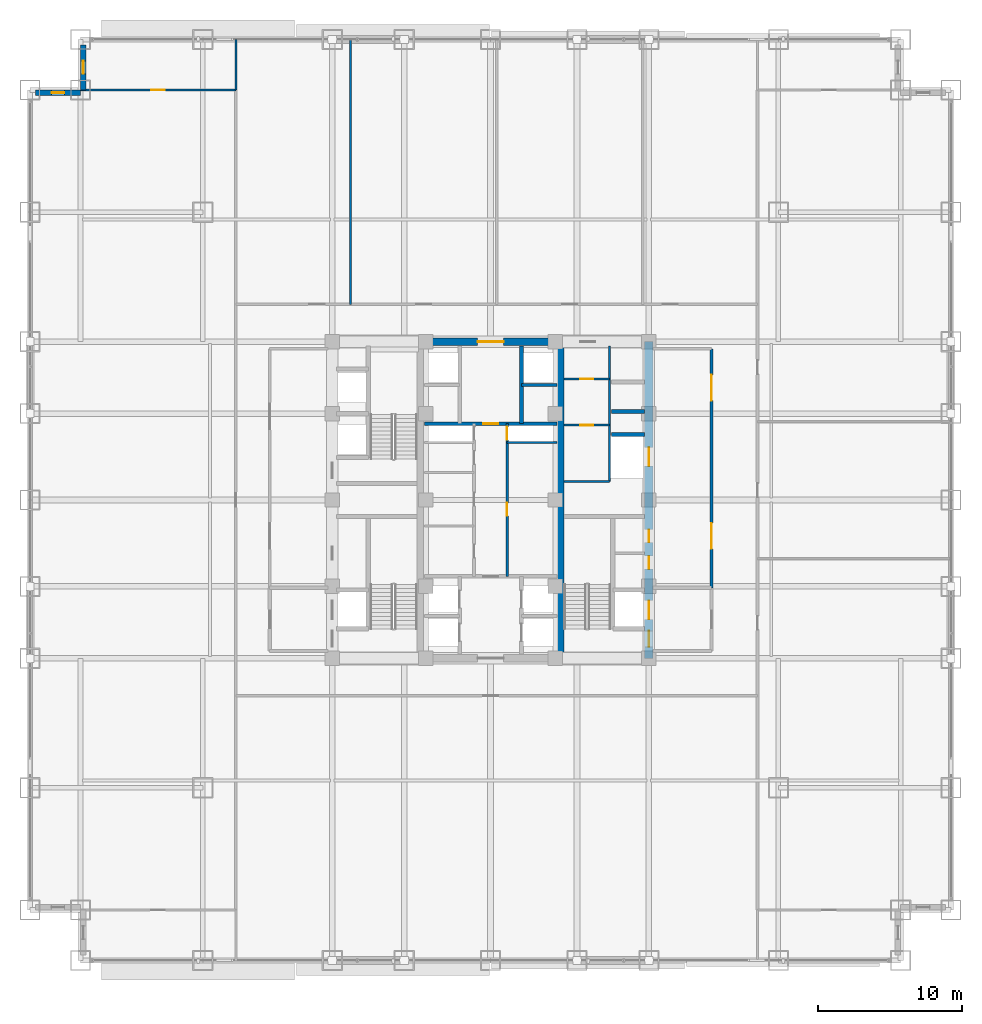
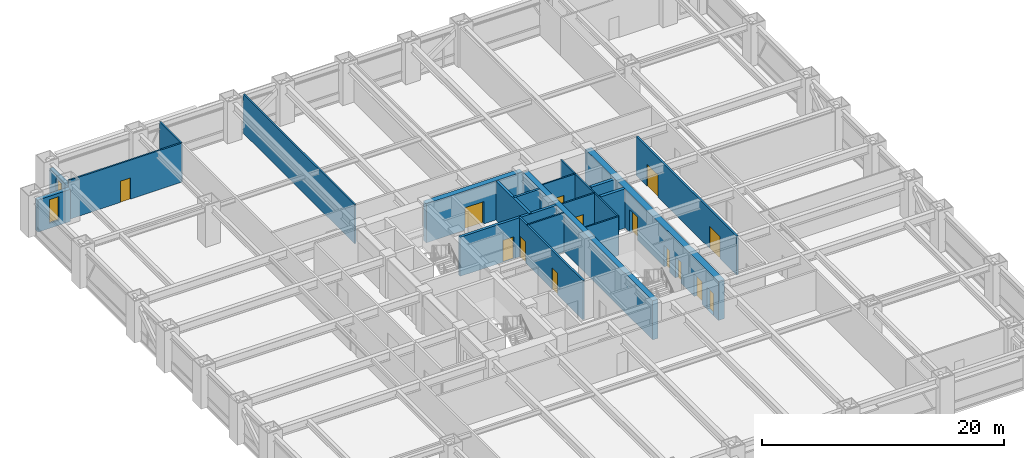
# One storey, part 25 of 31: 20 walls, 14 doors, 2 windows, 16 openings.
"""IFC4 building model written with IfcOpenShell, lengths in metres."""

import ifcopenshell
import ifcopenshell.guid

model = None  # the IFC model being written
_history = None  # IfcOwnerHistory: only IFC2X3 demands one
_inside = {}  # id of a spatial element -> (the spatial element, [elements in it])
_under = {}  # id of a project, library or spatial element -> (it, [spatial elements below it])
_declared = {}  # id of a project -> (the project, [libraries it declares])
_typed = {}  # id of a type object -> (the type object, [elements of that type])
_made_of = {}  # id of a material, layer set ... -> (it, [elements and type objects made of it])


def new_model(schema):
    """Start an empty IFC model of exactly this schema.

    Asked for "IFC4X3", IfcOpenShell would pick the latest addendum, in which some entities
    have other attributes; the version numbers below select the first issue.
    IFC2X3 requires an IfcOwnerHistory on every rooted entity: one is made here for all.
    """
    global model, _history
    if schema == "IFC4X3":
        model = ifcopenshell.file(schema_version=(4, 3, 0, 0))
    else:
        model = ifcopenshell.file(schema=schema)
    _inside.clear()
    _under.clear()
    _declared.clear()
    _typed.clear()
    _made_of.clear()
    _history = None
    if model.schema == "IFC2X3":
        org = make("IfcOrganization", Name="unknown")
        user = make(
            "IfcPersonAndOrganization",
            ThePerson=make("IfcPerson", FamilyName="unknown"),
            TheOrganization=org,
        )
        app = make(
            "IfcApplication",
            ApplicationDeveloper=org,
            Version="unknown",
            ApplicationFullName="unknown",
            ApplicationIdentifier="unknown",
        )
        _history = make(
            "IfcOwnerHistory",
            OwningUser=user,
            OwningApplication=app,
            ChangeAction="ADDED",
            CreationDate=0,
        )
    return model


def make(cls, **values):
    """One entity of the class cls with the attributes given. An attribute that is None is left unset."""
    return model.create_entity(
        cls, **{name: value for name, value in values.items() if value is not None}
    )


def rooted(cls, **values):
    """An entity with a GlobalId (a new one), such as an element, a storey or a relation."""
    return make(cls, GlobalId=ifcopenshell.guid.new(), OwnerHistory=_history, **values)


def si_unit(unit_type, name, prefix=None):
    """IfcSIUnit, for example si_unit("LENGTHUNIT", "METRE", prefix="MILLI")."""
    return make("IfcSIUnit", UnitType=unit_type, Prefix=prefix, Name=name)


def assignment(units):
    """IfcUnitAssignment: the units of a project."""
    return None if units is None else make("IfcUnitAssignment", Units=units)


def point(xyz):
    """IfcCartesianPoint."""
    return None if xyz is None else make("IfcCartesianPoint", Coordinates=xyz)


def direction(xyz):
    """IfcDirection."""
    return None if xyz is None else make("IfcDirection", DirectionRatios=xyz)


def frame(location, z_axis=None, x_axis=None):
    """IfcAxis2Placement3D, a coordinate frame: its origin and axes. An axis left out is left unset."""
    return make(
        "IfcAxis2Placement3D",
        Location=point(location),
        Axis=direction(z_axis),
        RefDirection=direction(x_axis),
    )


def frame_2d(location, x_axis=None):
    """IfcAxis2Placement2D, a coordinate frame in the plane: its origin and x axis."""
    return make(
        "IfcAxis2Placement2D", Location=point(location), RefDirection=direction(x_axis)
    )


def origin():
    """The frame at (0, 0, 0) with its axes left unset."""
    return frame((0.0, 0.0, 0.0))


def place(relative_to, where):
    """IfcLocalPlacement: puts the frame where relative to a parent placement (None: the world)."""
    return make(
        "IfcLocalPlacement", PlacementRelTo=relative_to, RelativePlacement=where
    )


def context(
    kind, dimensions, precision=None, world=None, true_north=None, identifier=None
):
    """IfcGeometricRepresentationContext, for example the 3D "Model" context."""
    return make(
        "IfcGeometricRepresentationContext",
        ContextIdentifier=identifier,
        ContextType=kind,
        CoordinateSpaceDimension=dimensions,
        Precision=precision,
        WorldCoordinateSystem=world,
        TrueNorth=true_north,
    )


def subcontext(parent, identifier, kind, view, scale=None):
    """IfcGeometricRepresentationSubContext, for example "Body" below "Model"."""
    return make(
        "IfcGeometricRepresentationSubContext",
        ContextIdentifier=identifier,
        ContextType=kind,
        ParentContext=parent,
        TargetScale=scale,
        TargetView=view,
    )


def project(units=None, contexts=None):
    """IfcProject with its units and contexts."""
    return rooted(
        "IfcProject",
        Name="project",
        RepresentationContexts=contexts,
        UnitsInContext=assignment(units),
    )


def spatial(cls, under=None, at=None, **own):
    """A site, building, storey or space (cls), placed at a placement, below another one or the project."""
    s = rooted(cls, ObjectPlacement=at, **own)
    if under is not None:
        _under.setdefault(under.id(), (under, []))[1].append(s)
    return s


def profile(cls, at=None, kind="AREA", **sizes):
    """A parametric profile (cls). Its sizes go by their IFC names, for example OverallWidth=200.0."""
    return make(cls, ProfileType=kind, Position=at, **sizes)


def rectangle(**sizes):
    """IfcRectangleProfileDef."""
    return profile("IfcRectangleProfileDef", **sizes)


def extrude(swept, where, along, depth):
    """IfcExtrudedAreaSolid: the profile swept, set in the frame where, extruded along a direction by depth."""
    return make(
        "IfcExtrudedAreaSolid",
        SweptArea=swept,
        Position=where,
        ExtrudedDirection=direction(along),
        Depth=depth,
    )


def shape(context_of_items, identifier, shape_type, items):
    """IfcShapeRepresentation: the items that make up one representation, for example the "Body"."""
    return make(
        "IfcShapeRepresentation",
        ContextOfItems=context_of_items,
        RepresentationIdentifier=identifier,
        RepresentationType=shape_type,
        Items=items,
    )


def source(mapping_origin, context_of_items, identifier, shape_type, items):
    """IfcRepresentationMap: a shape defined once, which mapped items show again and again."""
    return make(
        "IfcRepresentationMap",
        MappingOrigin=mapping_origin,
        MappedRepresentation=shape(context_of_items, identifier, shape_type, items),
    )


def transform(
    local_origin,
    x_axis=None,
    y_axis=None,
    z_axis=None,
    scale=None,
    scale2=None,
    scale3=None,
    uniform=True,
):
    """IfcCartesianTransformationOperator3D, or its non-uniform kind. x_axis, y_axis, z_axis: its Axis1, 2, 3."""
    if uniform:
        return make(
            "IfcCartesianTransformationOperator3D",
            Axis1=direction(x_axis),
            Axis2=direction(y_axis),
            LocalOrigin=point(local_origin),
            Scale=scale,
            Axis3=direction(z_axis),
        )
    return make(
        "IfcCartesianTransformationOperator3DnonUniform",
        Axis1=direction(x_axis),
        Axis2=direction(y_axis),
        LocalOrigin=point(local_origin),
        Scale=scale,
        Axis3=direction(z_axis),
        Scale2=scale2,
        Scale3=scale3,
    )


def mapped(mapping_source, mapping_target):
    """IfcMappedItem: shows the shape of a source again, moved by a transform."""
    return make(
        "IfcMappedItem", MappingSource=mapping_source, MappingTarget=mapping_target
    )


def material(Name=None, Category=None):
    """IfcMaterial."""
    return make("IfcMaterial", Name=Name, Category=Category)


def layer(
    of_material, thickness, ventilated=None, Name=None, Category=None, Priority=None
):
    """IfcMaterialLayer: one layer of a wall or slab, of a material (None: an air gap)."""
    return make(
        "IfcMaterialLayer",
        Material=of_material,
        LayerThickness=thickness,
        IsVentilated=ventilated,
        Name=Name,
        Category=Category,
        Priority=Priority,
    )


def layer_set(layers, Name=None):
    """IfcMaterialLayerSet."""
    return make("IfcMaterialLayerSet", MaterialLayers=layers, LayerSetName=Name)


def made_of(thing, what):
    """Note that an element or type object is made of a material, layer set ...; save() writes the relation."""
    if what is not None:
        _made_of.setdefault(what.id(), (what, []))[1].append(thing)
    return thing


def type_object(cls, material=None, **own):
    """A type object (cls), such as IfcWallType, which elements share."""
    return made_of(rooted(cls, **own), material)


def element(
    cls,
    number,
    at=None,
    inside=None,
    cuts=None,
    type_object=None,
    material=None,
    context=None,
    identifier="Body",
    shape_type=None,
    held_by="IfcProductDefinitionShape",
    body=None,
    shapes=None,
    **own,
):
    """One element of the class cls, such as IfcWall. Its Tag is "e" and its number.

    at: its placement. inside: the storey or other place that contains it. cuts: it is an
    opening in that element (IfcRelVoidsElement). A single representation is given by context,
    identifier, shape_type and body (its items); several are given by shapes. held_by: the class
    of the entity that holds the representations. save() writes the other relations.
    """
    e = rooted(cls, Tag="e%d" % number, ObjectPlacement=at, **own)
    if body is not None:
        shapes = [shape(context, identifier, shape_type, body)]
    if shapes is not None:
        e.Representation = make(held_by, Representations=shapes)
    if inside is not None:
        _inside.setdefault(inside.id(), (inside, []))[1].append(e)
    if cuts is not None:
        rooted(
            "IfcRelVoidsElement", RelatingBuildingElement=cuts, RelatedOpeningElement=e
        )
    if type_object is not None:
        _typed.setdefault(type_object.id(), (type_object, []))[1].append(e)
    return made_of(e, material)


def fill(opening, filler):
    """IfcRelFillsElement: the door or window that sits in an opening."""
    return rooted(
        "IfcRelFillsElement",
        RelatingOpeningElement=opening,
        RelatedBuildingElement=filler,
    )


def aggregate(whole, parts):
    """IfcRelAggregates: a whole, such as a stair, and the parts it consists of."""
    return rooted("IfcRelAggregates", RelatingObject=whole, RelatedObjects=parts)


def save(model, path):
    """Write the relations noted so far, then the file.

    IfcRelAggregates (storeys below a building ...), IfcRelContainedInSpatialStructure (elements
    in a storey), IfcRelDefinesByType, IfcRelAssociatesMaterial and IfcRelDeclares: one each for
    every whole, place, type object, material and project.
    """
    for whole, parts in _under.values():
        aggregate(whole, parts)
    for where, things in _inside.values():
        rooted(
            "IfcRelContainedInSpatialStructure",
            RelatedElements=things,
            RelatingStructure=where,
        )
    for kind, things in _typed.values():
        rooted("IfcRelDefinesByType", RelatedObjects=things, RelatingType=kind)
    for what, things in _made_of.values():
        rooted("IfcRelAssociatesMaterial", RelatedObjects=things, RelatingMaterial=what)
    for by, libraries in _declared.values():
        rooted("IfcRelDeclares", RelatingContext=by, RelatedDefinitions=libraries)
    model.write(path)


model = new_model("IFC4")

# Units and contexts
model_context = context("Model", 3, precision=1e-05, world=origin(), true_north=direction((0.0, 1.0)))
body_context = subcontext(model_context, "Body", "Model", "MODEL_VIEW")
ifc_project = project(units=[si_unit("LENGTHUNIT", "METRE"), si_unit("AREAUNIT", "SQUARE_METRE"), si_unit("VOLUMEUNIT", "CUBIC_METRE"), si_unit("PLANEANGLEUNIT", "RADIAN"), si_unit("MASSUNIT", "GRAM", prefix="KILO")], contexts=[model_context])

# Site, building, storey
site_placement = place(None, origin())
site = spatial("IfcSite", under=ifc_project, at=site_placement, CompositionType="ELEMENT")
building_placement = place(site_placement, origin())
building = spatial("IfcBuilding", under=site, at=building_placement, Name="Khorayat Bourse Tower", CompositionType="ELEMENT")
storey_placement = place(building_placement, frame((0.0, 0.0, 32.60009765625)))
storey = spatial("IfcBuildingStorey", under=building, at=storey_placement, Name="L06", CompositionType="ELEMENT", Elevation=32.60009765625)

# Wall, openings, doors
ifc_material_1 = material(Name="Concrete C60/75", Category="concrete")
ifc_layer_1 = layer(ifc_material_1, 0.60009765625)
ifc_layer_set_1 = layer_set([ifc_layer_1], Name="Concrete C60/75")
wall_type_1 = type_object("IfcWallType", Name="WAL-CORE-600", PredefinedType="SHEAR", material=ifc_layer_set_1)
shared_shape_1 = source(origin(), body_context, "Body", "SweptSolid", [
    extrude(rectangle(XDim=22.0, YDim=0.60009765625, at=frame_2d((11.0, 0.0))), origin(), (0.0, 0.0, 1.0), 3.93994140625),
])
wall_1_placement = place(storey_placement, frame((11.0, -11.0, 0.0), z_axis=(0.0, 0.0, 1.0), x_axis=(0.0, 1.0, 0.0)))
wall_1 = element("IfcWall", 1, at=wall_1_placement, inside=storey, type_object=wall_type_1, Name="L06 Core Shear Wall CORE-E", PredefinedType="SHEAR", context=body_context, shape_type="MappedRepresentation", body=[
    mapped(shared_shape_1, transform((0.0, 0.0, 0.0), scale=1.0)),
])
shared_shape_2 = source(origin(), body_context, "Body", "SweptSolid", [
    extrude(rectangle(XDim=1.10009765625, YDim=2.199951171875, at=frame_2d((0.550048828125, 1.10009765625))), frame((0.0, 0.31005859375, 0.0), z_axis=(0.0, -1.0, 0.0), x_axis=(1.0, 0.0, 0.0)), (0.0, 0.0, 1.0), 0.6201171875),
])
opening_1_placement = place(wall_1_placement, frame((0.800048828125, 0.0, 0.0)))
opening_1 = element("IfcOpeningElement", 2, at=opening_1_placement, cuts=wall_1, Name="Opening DI-01", PredefinedType="OPENING", context=body_context, shape_type="MappedRepresentation", body=[
    mapped(shared_shape_2, transform((0.0, 0.0, 0.0), scale=1.0)),
])
shared_shape_3 = source(origin(), body_context, "Body", "SweptSolid", [
    extrude(rectangle(XDim=0.89990234375, YDim=2.14990234375, at=frame_2d((0.449951171875, 1.074951171875))), frame((0.0, 0.31005859375, 0.0), z_axis=(0.0, -1.0, 0.0), x_axis=(1.0, 0.0, 0.0)), (0.0, 0.0, 1.0), 0.6201171875),
])
opening_2_placement = place(wall_1_placement, frame((6.199951171875, 0.0, 0.0)))
opening_2 = element("IfcOpeningElement", 3, at=opening_2_placement, cuts=wall_1, Name="Opening DI-06", PredefinedType="OPENING", context=body_context, shape_type="MappedRepresentation", body=[
    mapped(shared_shape_3, transform((0.0, 0.0, 0.0), scale=1.0)),
])
opening_3_placement = place(wall_1_placement, frame((8.050048828125, 0.0, 0.0)))
opening_3 = element("IfcOpeningElement", 4, at=opening_3_placement, cuts=wall_1, Name="Opening DI-06", PredefinedType="OPENING", context=body_context, shape_type="MappedRepresentation", body=[
    mapped(shared_shape_3, transform((0.0, 0.0, 0.0), scale=1.0)),
])
shared_shape_4 = source(origin(), body_context, "Body", "SweptSolid", [
    extrude(rectangle(XDim=1.300048828125, YDim=2.300048828125, at=frame_2d((0.64990234375, 1.14990234375))), frame((0.0, 0.31005859375, 0.0), z_axis=(0.0, -1.0, 0.0), x_axis=(1.0, 0.0, 0.0)), (0.0, 0.0, 1.0), 0.6201171875),
])
opening_4_placement = place(wall_1_placement, frame((2.699951171875, 0.0, 0.0)))
opening_4 = element("IfcOpeningElement", 5, at=opening_4_placement, cuts=wall_1, Name="Opening LD-02", PredefinedType="OPENING", context=body_context, shape_type="MappedRepresentation", body=[
    mapped(shared_shape_4, transform((0.0, 0.0, 0.0), scale=1.0)),
])
opening_5_placement = place(wall_1_placement, frame((13.35009765625, 0.0, 0.0)))
opening_5 = element("IfcOpeningElement", 6, at=opening_5_placement, cuts=wall_1, Name="Opening LD-02", PredefinedType="OPENING", context=body_context, shape_type="MappedRepresentation", body=[
    mapped(shared_shape_4, transform((0.0, 0.0, 0.0), scale=1.0)),
])
ifc_material_2 = material(Name="Fire-rated steel acoustic leaf", Category="steel")
door_type_1 = type_object("IfcDoorType", Name="DR-INT-STAIR-1100", OperationType="NOTDEFINED", PredefinedType="DOOR", material=ifc_material_2)
shared_shape_5 = source(origin(), body_context, "Body", "SweptSolid", [
    extrude(rectangle(XDim=1.10009765625, YDim=2.199951171875, at=frame_2d((0.550048828125, 1.10009765625))), frame((0.0, 0.02490234375, 0.0), z_axis=(0.0, -1.0, 0.0), x_axis=(1.0, 0.0, 0.0)), (0.0, 0.0, 1.0), 0.050048828125),
])
door_1_placement = place(opening_1_placement, origin())
door_1 = element("IfcDoor", 7, at=door_1_placement, inside=storey, type_object=door_type_1, Name="L06 Exit Stair 3 Door", OperationType="SINGLE_SWING_LEFT", OverallHeight=2.199951171875, OverallWidth=1.10009765625, PredefinedType="DOOR", context=body_context, shape_type="MappedRepresentation", body=[
    mapped(shared_shape_5, transform((0.0, 0.0, 0.0), scale=1.0)),
])
fill(opening_1, door_1)
ifc_material_3 = material(Name="Moisture-resistant laminate washroom door")
door_type_2 = type_object("IfcDoorType", Name="DR-INT-WC-900", OperationType="NOTDEFINED", PredefinedType="DOOR", material=ifc_material_3)
shared_shape_6 = source(origin(), body_context, "Body", "SweptSolid", [
    extrude(rectangle(XDim=0.89990234375, YDim=2.14990234375, at=frame_2d((0.449951171875, 1.074951171875))), frame((0.0, 0.02490234375, 0.0), z_axis=(0.0, -1.0, 0.0), x_axis=(1.0, 0.0, 0.0)), (0.0, 0.0, 1.0), 0.050048828125),
])
door_2_placement = place(opening_2_placement, origin())
door_2 = element("IfcDoor", 8, at=door_2_placement, inside=storey, type_object=door_type_2, Name="L06 Comms Closet Door", OperationType="SINGLE_SWING_LEFT", OverallHeight=2.14990234375, OverallWidth=0.89990234375, PredefinedType="DOOR", context=body_context, shape_type="MappedRepresentation", body=[
    mapped(shared_shape_6, transform((0.0, 0.0, 0.0), scale=1.0)),
])
fill(opening_2, door_2)
door_3_placement = place(opening_3_placement, origin())
door_3 = element("IfcDoor", 9, at=door_3_placement, inside=storey, type_object=door_type_2, Name="L06 Cleaner Store Door", OperationType="SINGLE_SWING_RIGHT", OverallHeight=2.14990234375, OverallWidth=0.89990234375, PredefinedType="DOOR", context=body_context, shape_type="MappedRepresentation", body=[
    mapped(shared_shape_6, transform((0.0, 0.0, 0.0), scale=1.0)),
])
fill(opening_3, door_3)
ifc_material_4 = material(Name="Fire-rated stainless-steel sliding landing door", Category="steel")
door_type_3 = type_object("IfcDoorType", Name="DR-LIFT-FF-1300", OperationType="NOTDEFINED", PredefinedType="DOOR", material=ifc_material_4)
shared_shape_7 = source(origin(), body_context, "Body", "SweptSolid", [
    extrude(rectangle(XDim=1.300048828125, YDim=2.300048828125, at=frame_2d((0.64990234375, 1.14990234375))), frame((0.0, 0.02490234375, 0.0), z_axis=(0.0, -1.0, 0.0), x_axis=(1.0, 0.0, 0.0)), (0.0, 0.0, 1.0), 0.050048828125),
])
door_4_placement = place(opening_4_placement, origin())
door_4 = element("IfcDoor", 10, at=door_4_placement, inside=storey, type_object=door_type_3, Name="L06 Lift FFL-02 Sliding Landing Door", OperationType="SLIDING_TO_LEFT", OverallHeight=2.300048828125, OverallWidth=1.300048828125, PredefinedType="DOOR", context=body_context, shape_type="MappedRepresentation", body=[
    mapped(shared_shape_7, transform((0.0, 0.0, 0.0), scale=1.0)),
])
fill(opening_4, door_4)
door_5_placement = place(opening_5_placement, origin())
door_5 = element("IfcDoor", 11, at=door_5_placement, inside=storey, type_object=door_type_3, Name="L06 Lift SVL-01 Sliding Landing Door", OperationType="SLIDING_TO_LEFT", OverallHeight=2.300048828125, OverallWidth=1.300048828125, PredefinedType="DOOR", context=body_context, shape_type="MappedRepresentation", body=[
    mapped(shared_shape_7, transform((0.0, 0.0, 0.0), scale=1.0)),
])
fill(opening_5, door_5)

# Wall
ifc_material_5 = material(Name="Concrete C52/65", Category="concrete")
ifc_layer_2 = layer(ifc_material_5, 0.5)
ifc_layer_set_2 = layer_set([ifc_layer_2], Name="Concrete C52/65")
wall_type_2 = type_object("IfcWallType", Name="WAL-CORE-500", PredefinedType="SHEAR", material=ifc_layer_set_2)
shared_shape_8 = source(origin(), body_context, "Body", "SweptSolid", [
    extrude(rectangle(XDim=21.39990234375, YDim=0.5, at=frame_2d((10.699951171875, 0.0))), origin(), (0.0, 0.0, 1.0), 3.93994140625),
])
wall_2_placement = place(storey_placement, frame((4.85009765625, -10.699951171875, 0.0), z_axis=(0.0, 0.0, 1.0), x_axis=(0.0, 1.0, 0.0)))
element("IfcWall", 12, at=wall_2_placement, inside=storey, type_object=wall_type_2, Name="L06 Core Shear Wall PIER-E", PredefinedType="SHEAR", context=body_context, shape_type="MappedRepresentation", body=[
    mapped(shared_shape_8, transform((0.0, 0.0, 0.0), scale=1.0)),
])

# Wall, opening, door
shared_shape_9 = source(origin(), body_context, "Body", "SweptSolid", [
    extrude(rectangle(XDim=9.2001953125, YDim=0.5, at=frame_2d((4.60009765625, 0.0))), origin(), (0.0, 0.0, 1.0), 3.93994140625),
])
wall_3_placement = place(storey_placement, frame((-4.60009765625, 11.0, 0.0), z_axis=(0.0, 0.0, 1.0), x_axis=(1.0, 0.0, 0.0)))
wall_3 = element("IfcWall", 13, at=wall_3_placement, inside=storey, type_object=wall_type_2, Name="L06 Core Shear Wall CORE-N", PredefinedType="SHEAR", context=body_context, shape_type="MappedRepresentation", body=[
    mapped(shared_shape_9, transform((0.0, 0.0, 0.0), scale=1.0)),
])
shared_shape_10 = source(origin(), body_context, "Body", "SweptSolid", [
    extrude(rectangle(XDim=1.800048828125, YDim=2.25, at=frame_2d((0.89990234375, 1.125))), frame((0.0, 0.260009765625, 0.0), z_axis=(0.0, -1.0, 0.0), x_axis=(1.0, 0.0, 0.0)), (0.0, 0.0, 1.0), 0.52001953125),
])
opening_6_placement = place(wall_3_placement, frame((3.699951171875, 0.0, 0.0)))
opening_6 = element("IfcOpeningElement", 14, at=opening_6_placement, cuts=wall_3, Name="Opening DI-03", PredefinedType="OPENING", context=body_context, shape_type="MappedRepresentation", body=[
    mapped(shared_shape_10, transform((0.0, 0.0, 0.0), scale=1.0)),
])
ifc_material_6 = material(Name="Fire-rated hardwood vision-panel double leaf", Category="wood")
door_type_4 = type_object("IfcDoorType", Name="DR-INT-CORR-1800", OperationType="NOTDEFINED", PredefinedType="DOOR", material=ifc_material_6)
shared_shape_11 = source(origin(), body_context, "Body", "SweptSolid", [
    extrude(rectangle(XDim=1.800048828125, YDim=2.25, at=frame_2d((0.89990234375, 1.125))), frame((0.0, 0.02490234375, 0.0), z_axis=(0.0, -1.0, 0.0), x_axis=(1.0, 0.0, 0.0)), (0.0, 0.0, 1.0), 0.050048828125),
])
door_6_placement = place(opening_6_placement, origin())
door_6 = element("IfcDoor", 15, at=door_6_placement, inside=storey, type_object=door_type_4, Name="L06 Mid-Rise Lift Lobby Door", OperationType="SINGLE_SWING_RIGHT", OverallHeight=2.25, OverallWidth=1.800048828125, PredefinedType="DOOR", context=body_context, shape_type="MappedRepresentation", body=[
    mapped(shared_shape_11, transform((0.0, 0.0, 0.0), scale=1.0)),
])
fill(opening_6, door_6)

# Wall, opening, window
ifc_material_7 = material(Name="Precast concrete C45/55", Category="concrete")
ifc_layer_3 = layer(ifc_material_7, 0.3798828125)
ifc_layer_set_3 = layer_set([ifc_layer_3], Name="Precast concrete C45/55")
wall_type_3 = type_object("IfcWallType", Name="WAL-EXT-STONE-380", PredefinedType="STANDARD", material=ifc_layer_set_3)
shared_shape_12 = source(origin(), body_context, "Body", "SweptSolid", [
    extrude(rectangle(XDim=3.1201171875, YDim=0.3798828125, at=frame_2d((1.56005859375, 0.0))), origin(), (0.0, 0.0, 1.0), 3.244873046875),
])
wall_4_placement = place(storey_placement, frame((-28.31005859375, 28.5, 0.0), z_axis=(0.0, 0.0, 1.0), x_axis=(0.0, 1.0, 0.0)))
wall_4 = element("IfcWall", 16, at=wall_4_placement, inside=storey, type_object=wall_type_3, Name="L06 Re-Entrant Notch Limestone Wall NW-V", PredefinedType="STANDARD", context=body_context, shape_type="MappedRepresentation", body=[
    mapped(shared_shape_12, transform((0.0, 0.0, 0.0), scale=1.0)),
])
shared_shape_13 = source(origin(), body_context, "Body", "SweptSolid", [
    extrude(rectangle(XDim=0.89990234375, YDim=2.39990234375, at=frame_2d((0.449951171875, 1.199951171875))), frame((0.0, 0.199951171875, 0.0), z_axis=(0.0, -1.0, 0.0), x_axis=(1.0, 0.0, 0.0)), (0.0, 0.0, 1.0), 0.39990234375),
])
opening_7_placement = place(wall_4_placement, frame((1.110107421875, 0.0, 0.5)))
opening_7 = element("IfcOpeningElement", 17, at=opening_7_placement, cuts=wall_4, Name="Opening WN-03", PredefinedType="OPENING", context=body_context, shape_type="MappedRepresentation", body=[
    mapped(shared_shape_13, transform((0.0, 0.0, 0.0), scale=1.0)),
])
ifc_material_8 = material(Name="Deep-reveal solar-control double glazing", Category="glass")
window_type = type_object("IfcWindowType", Name="WIN-SLOT-900x2400", PartitioningType="SINGLE_PANEL", PredefinedType="WINDOW", material=ifc_material_8)
shared_shape_14 = source(origin(), body_context, "Body", "SweptSolid", [
    extrude(rectangle(XDim=0.89990234375, YDim=2.39990234375, at=frame_2d((0.449951171875, 1.199951171875))), frame((0.0, 0.030029296875, 0.0), z_axis=(0.0, -1.0, 0.0), x_axis=(1.0, 0.0, 0.0)), (0.0, 0.0, 1.0), 0.06005859375),
])
window_1_placement = place(opening_7_placement, origin())
window_1 = element("IfcWindow", 18, at=window_1_placement, inside=storey, type_object=window_type, Name="L06 Facade Window 1", OverallHeight=2.39990234375, OverallWidth=0.89990234375, PartitioningType="SINGLE_PANEL", PredefinedType="WINDOW", context=body_context, shape_type="MappedRepresentation", body=[
    mapped(shared_shape_14, transform((0.0, 0.0, 0.0), scale=1.0)),
])
fill(opening_7, window_1)

wall_5_placement = place(storey_placement, frame((-28.5, 28.31005859375, 0.0), z_axis=(0.0, 0.0, 1.0), x_axis=(-1.0, 0.0, 0.0)))
wall_5 = element("IfcWall", 19, at=wall_5_placement, inside=storey, type_object=wall_type_3, Name="L06 Re-Entrant Notch Limestone Wall NW-H", PredefinedType="STANDARD", context=body_context, shape_type="MappedRepresentation", body=[
    mapped(shared_shape_12, transform((0.0, 0.0, 0.0), scale=1.0)),
])
opening_8_placement = place(wall_5_placement, frame((1.110107421875, 0.0, 0.5)))
opening_8 = element("IfcOpeningElement", 20, at=opening_8_placement, cuts=wall_5, Name="Opening WN-03", PredefinedType="OPENING", context=body_context, shape_type="MappedRepresentation", body=[
    mapped(shared_shape_13, transform((0.0, 0.0, 0.0), scale=1.0)),
])
window_2_placement = place(opening_8_placement, origin())
window_2 = element("IfcWindow", 21, at=window_2_placement, inside=storey, type_object=window_type, Name="L06 Facade Window 1", OverallHeight=2.39990234375, OverallWidth=0.89990234375, PartitioningType="SINGLE_PANEL", PredefinedType="WINDOW", context=body_context, shape_type="MappedRepresentation", body=[
    mapped(shared_shape_14, transform((0.0, 0.0, 0.0), scale=1.0)),
])
fill(opening_8, window_2)

# Walls
ifc_material_9 = material(Name="Concrete C50/60", Category="concrete")
ifc_layer_4 = layer(ifc_material_9, 0.300048828125)
ifc_layer_set_4 = layer_set([ifc_layer_4], Name="Concrete C50/60")
wall_type_4 = type_object("IfcWallType", Name="WAL-SHAFT-300", PredefinedType="SHEAR", material=ifc_layer_set_4)
shared_shape_15 = source(origin(), body_context, "Body", "SweptSolid", [
    extrude(rectangle(XDim=2.300048828125, YDim=0.300048828125, at=frame_2d((1.14990234375, 0.0))), origin(), (0.0, 0.0, 1.0), 3.93994140625),
])
for number, where, z_axis, x_axis, name in (
    (22, (8.39990234375, 4.550048828125, 0.0), (0.0, 0.0, 1.0), (1.0, 0.0, 0.0), "L06 Partition WAL-L06-EPIER-SVLN"),
    (23, (8.39990234375, 6.14990234375, 0.0), (0.0, 0.0, 1.0), (1.0, 0.0, 0.0), "L06 Partition WAL-L06-EPIER-H3S"),
):
    element("IfcWall", number, at=place(storey_placement, frame(where, z_axis=z_axis, x_axis=x_axis)), inside=storey, type_object=wall_type_4, Name=name, PredefinedType="SHEAR", context=body_context, shape_type="MappedRepresentation", body=[
        mapped(shared_shape_15, transform((0.0, 0.0, 0.0), scale=1.0)),
    ])
ifc_material_10 = material(Name="Moisture-resistant masonry partition", Category="masonry")
ifc_layer_5 = layer(ifc_material_10, 0.139892578125)
ifc_layer_set_5 = layer_set([ifc_layer_5], Name="Moisture-resistant masonry partition")
wall_type_5 = type_object("IfcWallType", Name="WAL-PART-WET-140", PredefinedType="PARTITIONING", material=ifc_layer_set_5)
shared_shape_16 = source(origin(), body_context, "Body", "SweptSolid", [
    extrude(rectangle(XDim=9.39990234375, YDim=0.139892578125, at=frame_2d((4.699951171875, 0.0))), origin(), (0.0, 0.0, 1.0), 3.93994140625),
])
wall_6_placement = place(storey_placement, frame((8.25, 1.300048828125, 0.0), z_axis=(0.0, 0.0, 1.0), x_axis=(0.0, 1.0, 0.0)))
element("IfcWall", 24, at=wall_6_placement, inside=storey, type_object=wall_type_5, Name="L06 Partition WAL-L06-ECORE-E", PredefinedType="PARTITIONING", context=body_context, shape_type="MappedRepresentation", body=[
    mapped(shared_shape_16, transform((0.0, 0.0, 0.0), scale=1.0)),
])
shared_shape_17 = source(origin(), body_context, "Body", "SweptSolid", [
    extrude(rectangle(XDim=3.14990234375, YDim=0.139892578125, at=frame_2d((1.574951171875, 0.0))), origin(), (0.0, 0.0, 1.0), 3.93994140625),
])
wall_7_placement = place(storey_placement, frame((5.10009765625, 1.300048828125, 0.0), z_axis=(0.0, 0.0, 1.0), x_axis=(1.0, 0.0, 0.0)))
element("IfcWall", 25, at=wall_7_placement, inside=storey, type_object=wall_type_5, Name="L06 Partition WAL-L06-ECORE-S", PredefinedType="PARTITIONING", context=body_context, shape_type="MappedRepresentation", body=[
    mapped(shared_shape_17, transform((0.0, 0.0, 0.0), scale=1.0)),
])

# Wall, opening, door
wall_8_placement = place(storey_placement, frame((5.10009765625, 8.39990234375, 0.0), z_axis=(0.0, 0.0, 1.0), x_axis=(1.0, 0.0, 0.0)))
wall_8 = element("IfcWall", 26, at=wall_8_placement, inside=storey, type_object=wall_type_5, Name="L06 Partition WAL-L06-ECW-TOP", PredefinedType="PARTITIONING", context=body_context, shape_type="MappedRepresentation", body=[
    mapped(shared_shape_17, transform((0.0, 0.0, 0.0), scale=1.0)),
])
shared_shape_18 = source(origin(), body_context, "Body", "SweptSolid", [
    extrude(rectangle(XDim=0.89990234375, YDim=2.14990234375, at=frame_2d((0.449951171875, 1.074951171875))), frame((0.0, 0.079833984375, 0.0), z_axis=(0.0, -1.0, 0.0), x_axis=(1.0, 0.0, 0.0)), (0.0, 0.0, 1.0), 0.159912109375),
])
opening_9_placement = place(wall_8_placement, frame((1.1298828125, 0.0, 0.0)))
opening_9 = element("IfcOpeningElement", 27, at=opening_9_placement, cuts=wall_8, Name="Opening DI-06", PredefinedType="OPENING", context=body_context, shape_type="MappedRepresentation", body=[
    mapped(shared_shape_18, transform((0.0, 0.0, 0.0), scale=1.0)),
])
door_7_placement = place(opening_9_placement, origin())
door_7 = element("IfcDoor", 28, at=door_7_placement, inside=storey, type_object=door_type_2, Name="L06 Accessible WC Door", OperationType="SINGLE_SWING_LEFT", OverallHeight=2.14990234375, OverallWidth=0.89990234375, PredefinedType="DOOR", context=body_context, shape_type="MappedRepresentation", body=[
    mapped(shared_shape_6, transform((0.0, 0.0, 0.0), scale=1.0)),
])
fill(opening_9, door_7)

wall_9_placement = place(storey_placement, frame((5.10009765625, 5.199951171875, 0.0), z_axis=(0.0, 0.0, 1.0), x_axis=(1.0, 0.0, 0.0)))
wall_9 = element("IfcWall", 29, at=wall_9_placement, inside=storey, type_object=wall_type_5, Name="L06 Partition WAL-L06-ECW-HZ", PredefinedType="PARTITIONING", context=body_context, shape_type="MappedRepresentation", body=[
    mapped(shared_shape_17, transform((0.0, 0.0, 0.0), scale=1.0)),
])
opening_10_placement = place(wall_9_placement, frame((1.1298828125, 0.0, 0.0)))
opening_10 = element("IfcOpeningElement", 30, at=opening_10_placement, cuts=wall_9, Name="Opening DI-06", PredefinedType="OPENING", context=body_context, shape_type="MappedRepresentation", body=[
    mapped(shared_shape_18, transform((0.0, 0.0, 0.0), scale=1.0)),
])
door_8_placement = place(opening_10_placement, origin())
door_8 = element("IfcDoor", 31, at=door_8_placement, inside=storey, type_object=door_type_2, Name="L06 Shared Washroom Door", OperationType="SINGLE_SWING_RIGHT", OverallHeight=2.14990234375, OverallWidth=0.89990234375, PredefinedType="DOOR", context=body_context, shape_type="MappedRepresentation", body=[
    mapped(shared_shape_6, transform((0.0, 0.0, 0.0), scale=1.0)),
])
fill(opening_10, door_8)

# Wall, openings, doors
ifc_material_11 = material(Name="Gypsum plasterboard acoustic stud wall")
ifc_layer_6 = layer(ifc_material_11, 0.179931640625)
ifc_layer_set_6 = layer_set([ifc_layer_6], Name="Gypsum plasterboard acoustic stud wall")
wall_type_6 = type_object("IfcWallType", Name="WAL-PART-CORR-180", PredefinedType="PARTITIONING", material=ifc_layer_set_6)
shared_shape_19 = source(origin(), body_context, "Body", "SweptSolid", [
    extrude(rectangle(XDim=16.60009765625, YDim=0.179931640625, at=frame_2d((8.300048828125, 0.0))), origin(), (0.0, 0.0, 1.0), 3.93994140625),
])
wall_10_placement = place(storey_placement, frame((15.35009765625, -6.10009765625, 0.0), z_axis=(0.0, 0.0, 1.0), x_axis=(0.0, 1.0, 0.0)))
wall_10 = element("IfcWall", 32, at=wall_10_placement, inside=storey, type_object=wall_type_6, Name="L06 Partition WAL-L06-ELOB-E", PredefinedType="PARTITIONING", context=body_context, shape_type="MappedRepresentation", body=[
    mapped(shared_shape_19, transform((0.0, 0.0, 0.0), scale=1.0)),
])
shared_shape_20 = source(origin(), body_context, "Body", "SweptSolid", [
    extrude(rectangle(XDim=1.800048828125, YDim=2.25, at=frame_2d((0.89990234375, 1.125))), frame((0.0, 0.099853515625, 0.0), z_axis=(0.0, -1.0, 0.0), x_axis=(1.0, 0.0, 0.0)), (0.0, 0.0, 1.0), 0.199951171875),
])
opening_11_placement = place(wall_10_placement, frame((2.699951171875, 0.0, 0.0)))
opening_11 = element("IfcOpeningElement", 33, at=opening_11_placement, cuts=wall_10, Name="Opening DI-03", PredefinedType="OPENING", context=body_context, shape_type="MappedRepresentation", body=[
    mapped(shared_shape_20, transform((0.0, 0.0, 0.0), scale=1.0)),
])
opening_12_placement = place(wall_10_placement, frame((13.0, 0.0, 0.0)))
opening_12 = element("IfcOpeningElement", 34, at=opening_12_placement, cuts=wall_10, Name="Opening DI-03", PredefinedType="OPENING", context=body_context, shape_type="MappedRepresentation", body=[
    mapped(shared_shape_20, transform((0.0, 0.0, 0.0), scale=1.0)),
])
door_9_placement = place(opening_11_placement, origin())
door_9 = element("IfcDoor", 35, at=door_9_placement, inside=storey, type_object=door_type_4, Name="L06 East Core Lobby South Door", OperationType="SINGLE_SWING_RIGHT", OverallHeight=2.25, OverallWidth=1.800048828125, PredefinedType="DOOR", context=body_context, shape_type="MappedRepresentation", body=[
    mapped(shared_shape_11, transform((0.0, 0.0, 0.0), scale=1.0)),
])
fill(opening_11, door_9)
door_10_placement = place(opening_12_placement, origin())
door_10 = element("IfcDoor", 36, at=door_10_placement, inside=storey, type_object=door_type_4, Name="L06 East Core Lobby North Door", OperationType="SINGLE_SWING_LEFT", OverallHeight=2.25, OverallWidth=1.800048828125, PredefinedType="DOOR", context=body_context, shape_type="MappedRepresentation", body=[
    mapped(shared_shape_11, transform((0.0, 0.0, 0.0), scale=1.0)),
])
fill(opening_12, door_10)

# Walls
ifc_material_12 = material(Name="Gypsum plasterboard twin-frame partition")
ifc_layer_7 = layer(ifc_material_12, 0.14990234375)
ifc_layer_set_7 = layer_set([ifc_layer_7], Name="Gypsum plasterboard twin-frame partition")
wall_type_7 = type_object("IfcWallType", Name="WAL-PART-SUITE-150", PredefinedType="PARTITIONING", material=ifc_layer_set_7)
shared_shape_21 = source(origin(), body_context, "Body", "SweptSolid", [
    extrude(rectangle(XDim=3.4501953125, YDim=0.14990234375, at=frame_2d((1.72509765625, 0.0))), origin(), (0.0, 0.0, 1.0), 3.93994140625),
])
wall_11_placement = place(storey_placement, frame((1.14990234375, 4.0, 0.0), z_axis=(0.0, 0.0, 1.0), x_axis=(1.0, 0.0, 0.0)))
element("IfcWall", 37, at=wall_11_placement, inside=storey, type_object=wall_type_7, Name="L06 Partition WAL-L06-CRSE-S", PredefinedType="PARTITIONING", context=body_context, shape_type="MappedRepresentation", body=[
    mapped(shared_shape_21, transform((0.0, 0.0, 0.0), scale=1.0)),
])
shared_shape_22 = source(origin(), body_context, "Body", "SweptSolid", [
    extrude(rectangle(XDim=5.39990234375, YDim=0.25, at=frame_2d((2.699951171875, 0.0))), origin(), (0.0, 0.0, 1.0), 3.93994140625),
])
wall_12_placement = place(storey_placement, frame((2.14990234375, 5.300048828125, 0.0), z_axis=(0.0, 0.0, 1.0), x_axis=(0.0, 1.0, 0.0)))
element("IfcWall", 38, at=wall_12_placement, inside=storey, type_object=wall_type_4, Name="L06 Partition WAL-L06-B2-E", PredefinedType="SHEAR", context=body_context, shape_type="MappedRepresentation", body=[
    mapped(shared_shape_22, transform((0.0, 0.0, 0.0), scale=1.0)),
])
shared_shape_23 = source(origin(), body_context, "Body", "SweptSolid", [
    extrude(rectangle(XDim=2.4501953125, YDim=0.199951171875, at=frame_2d((1.22509765625, 0.0))), origin(), (0.0, 0.0, 1.0), 3.93994140625),
])
wall_13_placement = place(storey_placement, frame((2.14990234375, 8.0, 0.0), z_axis=(0.0, 0.0, 1.0), x_axis=(1.0, 0.0, 0.0)))
element("IfcWall", 39, at=wall_13_placement, inside=storey, type_object=wall_type_4, Name="L06 Partition WAL-L06-B2-ME", PredefinedType="SHEAR", context=body_context, shape_type="MappedRepresentation", body=[
    mapped(shared_shape_23, transform((0.0, 0.0, 0.0), scale=1.0)),
])

# Wall, opening, door
shared_shape_24 = source(origin(), body_context, "Body", "SweptSolid", [
    extrude(rectangle(XDim=9.2001953125, YDim=0.25, at=frame_2d((4.60009765625, 0.0))), origin(), (0.0, 0.0, 1.0), 3.93994140625),
])
wall_14_placement = place(storey_placement, frame((-4.60009765625, 5.300048828125, 0.0), z_axis=(0.0, 0.0, 1.0), x_axis=(1.0, 0.0, 0.0)))
wall_14 = element("IfcWall", 40, at=wall_14_placement, inside=storey, type_object=wall_type_4, Name="L06 Partition WAL-L06-B2-S", PredefinedType="SHEAR", context=body_context, shape_type="MappedRepresentation", body=[
    mapped(shared_shape_24, transform((0.0, 0.0, 0.0), scale=1.0)),
])
shared_shape_25 = source(origin(), body_context, "Body", "SweptSolid", [
    extrude(rectangle(XDim=1.050048828125, YDim=2.199951171875, at=frame_2d((0.52490234375, 1.10009765625))), frame((0.0, 0.135009765625, 0.0), z_axis=(0.0, -1.0, 0.0), x_axis=(1.0, 0.0, 0.0)), (0.0, 0.0, 1.0), 0.27001953125),
])
opening_13_placement = place(wall_14_placement, frame((4.074951171875, 0.0, 0.0)))
opening_13 = element("IfcOpeningElement", 41, at=opening_13_placement, cuts=wall_14, Name="Opening DI-04", PredefinedType="OPENING", context=body_context, shape_type="MappedRepresentation", body=[
    mapped(shared_shape_25, transform((0.0, 0.0, 0.0), scale=1.0)),
])
ifc_material_13 = material(Name="Fire-rated oak veneer suite entrance door")
door_type_5 = type_object("IfcDoorType", Name="DR-INT-SUITE-1050", OperationType="NOTDEFINED", PredefinedType="DOOR", material=ifc_material_13)
shared_shape_26 = source(origin(), body_context, "Body", "SweptSolid", [
    extrude(rectangle(XDim=1.050048828125, YDim=2.199951171875, at=frame_2d((0.52490234375, 1.10009765625))), frame((0.0, 0.02490234375, 0.0), z_axis=(0.0, -1.0, 0.0), x_axis=(1.0, 0.0, 0.0)), (0.0, 0.0, 1.0), 0.050048828125),
])
door_11_placement = place(opening_13_placement, origin())
door_11 = element("IfcDoor", 42, at=door_11_placement, inside=storey, type_object=door_type_5, Name="L06 Core Spine North Door", OperationType="SINGLE_SWING_RIGHT", OverallHeight=2.199951171875, OverallWidth=1.050048828125, PredefinedType="DOOR", context=body_context, shape_type="MappedRepresentation", body=[
    mapped(shared_shape_26, transform((0.0, 0.0, 0.0), scale=1.0)),
])
fill(opening_13, door_11)

# Wall, openings, doors
shared_shape_27 = source(origin(), body_context, "Body", "SweptSolid", [
    extrude(rectangle(XDim=10.60009765625, YDim=0.179931640625, at=frame_2d((5.300048828125, 0.0))), origin(), (0.0, 0.0, 1.0), 3.93994140625),
])
wall_15_placement = place(storey_placement, frame((1.14990234375, -5.300048828125, 0.0), z_axis=(0.0, 0.0, 1.0), x_axis=(0.0, 1.0, 0.0)))
wall_15 = element("IfcWall", 43, at=wall_15_placement, inside=storey, type_object=wall_type_6, Name="L06 Partition WAL-L06-CME-L", PredefinedType="PARTITIONING", context=body_context, shape_type="MappedRepresentation", body=[
    mapped(shared_shape_27, transform((0.0, 0.0, 0.0), scale=1.0)),
])
shared_shape_28 = source(origin(), body_context, "Body", "SweptSolid", [
    extrude(rectangle(XDim=0.89990234375, YDim=2.14990234375, at=frame_2d((0.449951171875, 1.074951171875))), frame((0.0, 0.099853515625, 0.0), z_axis=(0.0, -1.0, 0.0), x_axis=(1.0, 0.0, 0.0)), (0.0, 0.0, 1.0), 0.199951171875),
])
opening_14_placement = place(wall_15_placement, frame((4.199951171875, 0.0, 0.0)))
opening_14 = element("IfcOpeningElement", 44, at=opening_14_placement, cuts=wall_15, Name="Opening DI-06", PredefinedType="OPENING", context=body_context, shape_type="MappedRepresentation", body=[
    mapped(shared_shape_28, transform((0.0, 0.0, 0.0), scale=1.0)),
])
opening_15_placement = place(wall_15_placement, frame((9.47509765625, 0.0, 0.0)))
opening_15 = element("IfcOpeningElement", 45, at=opening_15_placement, cuts=wall_15, Name="Opening DI-06", PredefinedType="OPENING", context=body_context, shape_type="MappedRepresentation", body=[
    mapped(shared_shape_28, transform((0.0, 0.0, 0.0), scale=1.0)),
])
door_12_placement = place(opening_14_placement, origin())
door_12 = element("IfcDoor", 46, at=door_12_placement, inside=storey, type_object=door_type_2, Name="L06 Female Core Washroom Door", OperationType="SINGLE_SWING_RIGHT", OverallHeight=2.14990234375, OverallWidth=0.89990234375, PredefinedType="DOOR", context=body_context, shape_type="MappedRepresentation", body=[
    mapped(shared_shape_6, transform((0.0, 0.0, 0.0), scale=1.0)),
])
fill(opening_14, door_12)
door_13_placement = place(opening_15_placement, origin())
door_13 = element("IfcDoor", 47, at=door_13_placement, inside=storey, type_object=door_type_2, Name="L06 East Core Riser Door", OperationType="SINGLE_SWING_RIGHT", OverallHeight=2.14990234375, OverallWidth=0.89990234375, PredefinedType="DOOR", context=body_context, shape_type="MappedRepresentation", body=[
    mapped(shared_shape_6, transform((0.0, 0.0, 0.0), scale=1.0)),
])
fill(opening_15, door_13)

# Walls
shared_shape_29 = source(origin(), body_context, "Body", "SweptSolid", [
    extrude(rectangle(XDim=18.39990234375, YDim=0.14990234375, at=frame_2d((9.199951171875, 0.0))), origin(), (0.0, 0.0, 1.0), 3.93994140625),
])
wall_16_placement = place(storey_placement, frame((-9.72509765625, 13.60009765625, 0.0), z_axis=(0.0, 0.0, 1.0), x_axis=(0.0, 1.0, 0.0)))
element("IfcWall", 48, at=wall_16_placement, inside=storey, type_object=wall_type_7, Name="L06 Partition WAL-L06-NDV-1", PredefinedType="PARTITIONING", context=body_context, shape_type="MappedRepresentation", body=[
    mapped(shared_shape_29, transform((0.0, 0.0, 0.0), scale=1.0)),
])
shared_shape_30 = source(origin(), body_context, "Body", "SweptSolid", [
    extrude(rectangle(XDim=3.5, YDim=0.14990234375, at=frame_2d((1.75, 0.0))), origin(), (0.0, 0.0, 1.0), 3.93994140625),
])
wall_17_placement = place(storey_placement, frame((-17.699951171875, 28.5, 0.0), z_axis=(0.0, 0.0, 1.0), x_axis=(0.0, 1.0, 0.0)))
element("IfcWall", 49, at=wall_17_placement, inside=storey, type_object=wall_type_7, Name="L06 Partition WAL-L06-NCW-END", PredefinedType="PARTITIONING", context=body_context, shape_type="MappedRepresentation", body=[
    mapped(shared_shape_30, transform((0.0, 0.0, 0.0), scale=1.0)),
])

# Wall, opening, door
shared_shape_31 = source(origin(), body_context, "Body", "SweptSolid", [
    extrude(rectangle(XDim=10.800048828125, YDim=0.14990234375, at=frame_2d((5.39990234375, 0.0))), origin(), (0.0, 0.0, 1.0), 3.93994140625),
])
wall_18_placement = place(storey_placement, frame((-28.5, 28.5, 0.0), z_axis=(0.0, 0.0, 1.0), x_axis=(1.0, 0.0, 0.0)))
wall_18 = element("IfcWall", 50, at=wall_18_placement, inside=storey, type_object=wall_type_7, Name="L06 Partition WAL-L06-CNW", PredefinedType="PARTITIONING", context=body_context, shape_type="MappedRepresentation", body=[
    mapped(shared_shape_31, transform((0.0, 0.0, 0.0), scale=1.0)),
])
shared_shape_32 = source(origin(), body_context, "Body", "SweptSolid", [
    extrude(rectangle(XDim=0.949951171875, YDim=2.14990234375, at=frame_2d((0.47509765625, 1.074951171875))), frame((0.0, 0.0849609375, 0.0), z_axis=(0.0, -1.0, 0.0), x_axis=(1.0, 0.0, 0.0)), (0.0, 0.0, 1.0), 0.169921875),
])
opening_16_placement = place(wall_18_placement, frame((4.925048828125, 0.0, 0.0)))
opening_16 = element("IfcOpeningElement", 51, at=opening_16_placement, cuts=wall_18, Name="Opening DI-05", PredefinedType="OPENING", context=body_context, shape_type="MappedRepresentation", body=[
    mapped(shared_shape_32, transform((0.0, 0.0, 0.0), scale=1.0)),
])
ifc_material_14 = material(Name="Acoustic oak veneer office door")
door_type_6 = type_object("IfcDoorType", Name="DR-INT-OFFICE-950", OperationType="NOTDEFINED", PredefinedType="DOOR", material=ifc_material_14)
shared_shape_33 = source(origin(), body_context, "Body", "SweptSolid", [
    extrude(rectangle(XDim=0.949951171875, YDim=2.14990234375, at=frame_2d((0.47509765625, 1.074951171875))), frame((0.0, 0.02490234375, 0.0), z_axis=(0.0, -1.0, 0.0), x_axis=(1.0, 0.0, 0.0)), (0.0, 0.0, 1.0), 0.050048828125),
])
door_14_placement = place(opening_16_placement, origin())
door_14 = element("IfcDoor", 52, at=door_14_placement, inside=storey, type_object=door_type_6, Name="L06 North-West Corner Meeting Room Door", OperationType="SINGLE_SWING_LEFT", OverallHeight=2.14990234375, OverallWidth=0.949951171875, PredefinedType="DOOR", context=body_context, shape_type="MappedRepresentation", body=[
    mapped(shared_shape_33, transform((0.0, 0.0, 0.0), scale=1.0)),
])
fill(opening_16, door_14)

save(model, "model.ifc")
